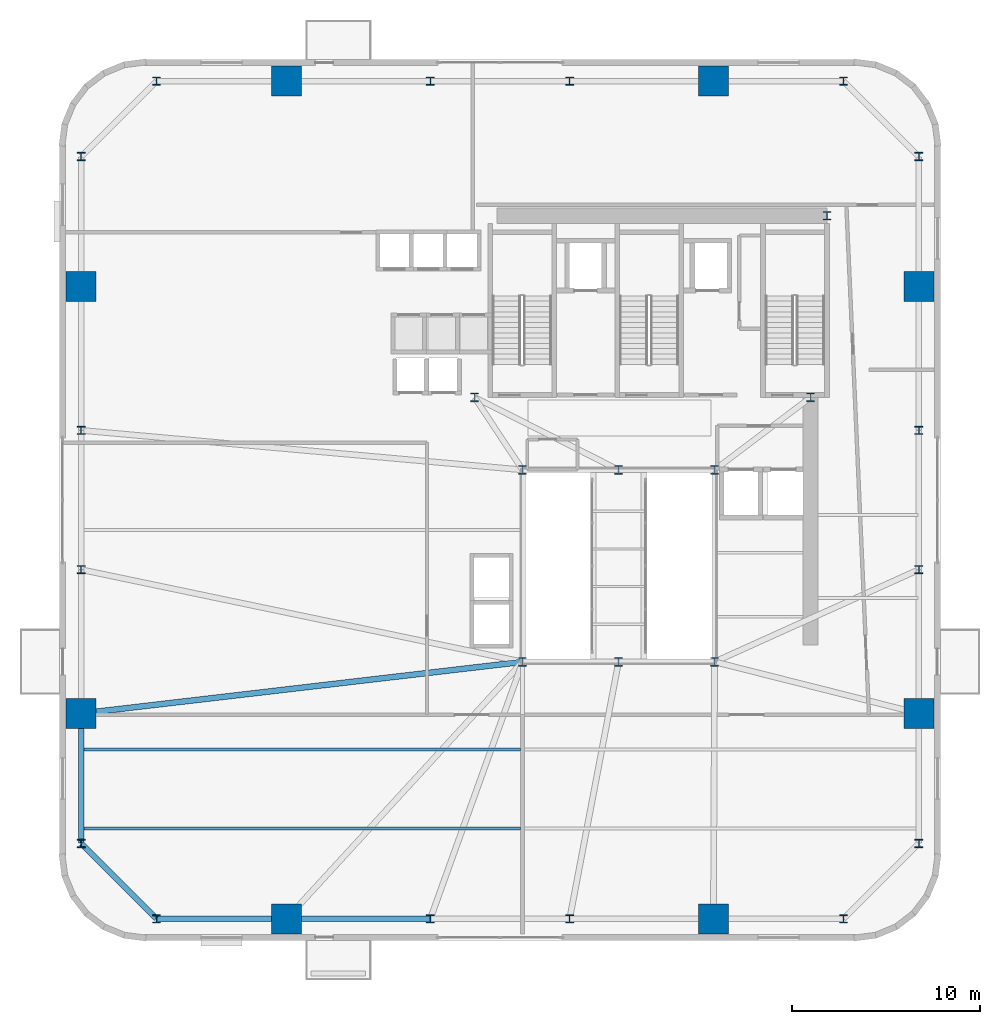
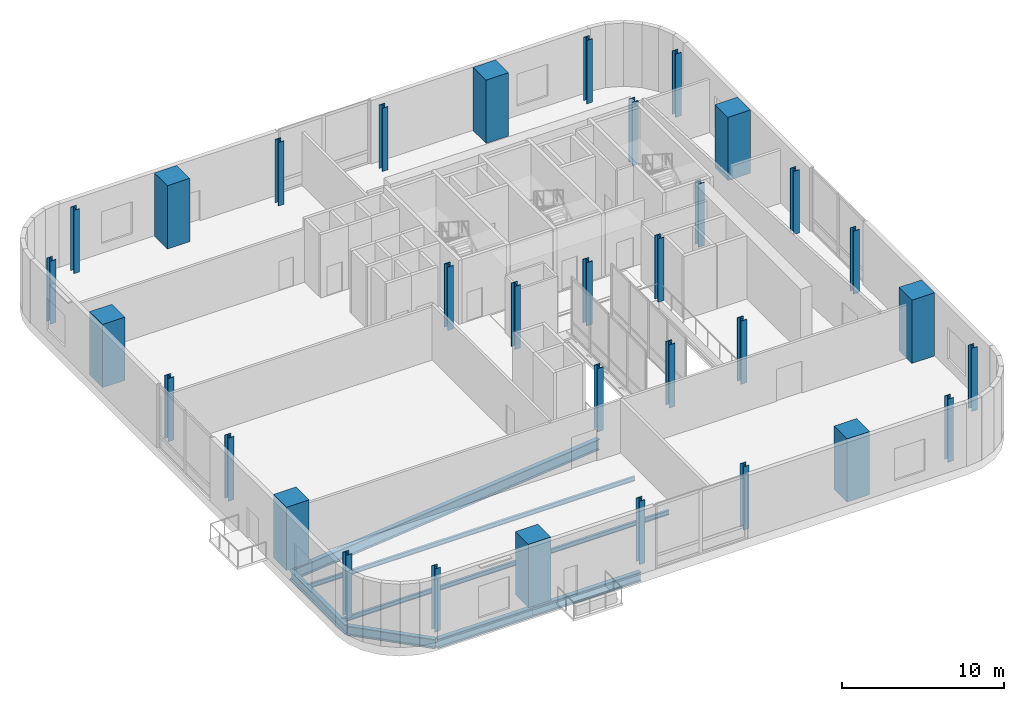
# One storey, part 1 of 13: 33 columns, 7 beams.
"""IFC4 building model written with IfcOpenShell, lengths in metres."""

from ifc_helpers import new_model, si_unit, direction, frame, origin, origin_2d, place, context, subcontext, project, spatial, rectangle, i_section, extrude, source, transform, mapped, material, material_profile, profile_set, type_object, element, save


model = new_model("IFC4")

# Units and contexts
model_context = context("Model", 3, precision=1e-05, world=origin(), true_north=direction((0.0, 1.0)))
body_context = subcontext(model_context, "Body", "Model", "MODEL_VIEW")
ifc_project = project(units=[si_unit("LENGTHUNIT", "METRE"), si_unit("AREAUNIT", "SQUARE_METRE"), si_unit("VOLUMEUNIT", "CUBIC_METRE"), si_unit("PLANEANGLEUNIT", "RADIAN"), si_unit("MASSUNIT", "GRAM", prefix="KILO")], contexts=[model_context])

# Site, building, storey
site_placement = place(None, origin())
site = spatial("IfcSite", under=ifc_project, at=site_placement, CompositionType="ELEMENT")
building_placement = place(site_placement, origin())
building = spatial("IfcBuilding", under=site, at=building_placement, Name="Vardaveli Station Tower", CompositionType="ELEMENT")
storey_placement = place(building_placement, frame((0.0, 0.0, 98.699951171875)))
storey = spatial("IfcBuildingStorey", under=building, at=storey_placement, Name="L25", CompositionType="ELEMENT", Elevation=98.699951171875)

# Columns
ifc_material_1 = material(Name="Structural steel S460M", Category="steel")
ifc_material_profile_1 = material_profile(ifc_material_1, i_section(OverallWidth=0.424072265625, OverallDepth=0.465087890625, WebThickness=0.034912109375, FlangeThickness=0.055908203125, FilletRadius=0.014892578125, at=origin_2d()), Name="HD 400x592")
ifc_profile_set_1 = profile_set([ifc_material_profile_1], Name="Structural steel S460M")
column_type_1 = type_object("IfcColumnType", Name="COL-HD592", PredefinedType="COLUMN", material=ifc_profile_set_1)
shared_shape_1 = source(origin(), body_context, "Body", "SweptSolid", [
    extrude(i_section(OverallWidth=0.424072265625, OverallDepth=0.465087890625, WebThickness=0.034912109375, FlangeThickness=0.055908203125, FilletRadius=0.014892578125, at=origin_2d()), origin(), (0.0, 0.0, 1.0), 4.760009765625),
])
for number, where, z_axis, x_axis, name in (
    (1, (31.199951171875, 16.60009765625, 0.0), (0.0, 0.0, 1.0), (1.0, 0.0, 0.0), "COL-L25-AC1"),
    (2, (36.300048828125, 16.60009765625, 0.0), (0.0, 0.0, 1.0), (1.0, 0.0, 0.0), "COL-L25-AC2"),
    (3, (41.39990234375, 16.60009765625, 0.0), (0.0, 0.0, 1.0), (1.0, 0.0, 0.0), "COL-L25-AC3"),
    (4, (41.39990234375, 26.800048828125, 0.0), (0.0, 0.0, 1.0), (1.0, 0.0, 0.0), "COL-L25-AC4"),
    (5, (36.300048828125, 26.800048828125, 0.0), (0.0, 0.0, 1.0), (1.0, 0.0, 0.0), "COL-L25-AC5"),
    (6, (31.199951171875, 26.800048828125, 0.0), (0.0, 0.0, 1.0), (1.0, 0.0, 0.0), "COL-L25-AC6"),
    (7, (28.64990234375, 30.64990234375, 0.0), (0.0, 0.0, 1.0), (1.0, 0.0, 0.0), "COL-L25-CC1"),
    (8, (46.5, 30.64990234375, 0.0), (0.0, 0.0, 1.0), (1.0, 0.0, 0.0), "COL-L25-CC2"),
    (9, (47.3701171875, 40.300048828125, 0.0), (0.0, 0.0, 1.0), (1.0, 0.0, 0.0), "COL-L25-CC3"),
):
    element("IfcColumn", number, at=place(storey_placement, frame(where, z_axis=z_axis, x_axis=x_axis)), inside=storey, type_object=column_type_1, Name=name, PredefinedType="COLUMN", context=body_context, shape_type="MappedRepresentation", body=[
        mapped(shared_shape_1, transform((0.0, 0.0, 0.0), scale=1.0)),
    ])
ifc_material_2 = material(Name="Concrete C60/75", Category="concrete")
ifc_material_profile_2 = material_profile(ifc_material_2, rectangle(XDim=1.60009765625, YDim=1.60009765625, at=origin_2d()), Name="MC 1600x1600")
ifc_profile_set_2 = profile_set([ifc_material_profile_2], Name="Concrete C60/75")
column_type_2 = type_object("IfcColumnType", Name="COL-MC-1600", PredefinedType="COLUMN", material=ifc_profile_set_2)
shared_shape_2 = source(origin(), body_context, "Body", "SweptSolid", [
    extrude(rectangle(XDim=1.60009765625, YDim=1.60009765625, at=origin_2d()), origin(), (0.0, 0.0, 1.0), 4.760009765625),
])
for number, where, z_axis, x_axis, name in (
    (10, (18.659912109375, 2.949951171875, 0.0), (0.0, 0.0, 1.0), (1.0, 0.0, 0.0), "COL-L25-MC1"),
    (11, (41.340087890625, 2.949951171875, 0.0), (0.0, 0.0, 1.0), (1.0, 0.0, 0.0), "COL-L25-MC2"),
    (12, (52.25, 13.860107421875, 0.0), (0.0, 0.0, 1.0), (1.0, 0.0, 0.0), "COL-L25-MC3"),
    (13, (52.25, 36.5400390625, 0.0), (0.0, 0.0, 1.0), (1.0, 0.0, 0.0), "COL-L25-MC4"),
    (14, (41.340087890625, 47.449951171875, 0.0), (0.0, 0.0, 1.0), (1.0, 0.0, 0.0), "COL-L25-MC5"),
    (15, (18.659912109375, 47.449951171875, 0.0), (0.0, 0.0, 1.0), (1.0, 0.0, 0.0), "COL-L25-MC6"),
    (16, (7.75, 36.5400390625, 0.0), (0.0, 0.0, 1.0), (1.0, 0.0, 0.0), "COL-L25-MC7"),
    (17, (7.75, 13.860107421875, 0.0), (0.0, 0.0, 1.0), (1.0, 0.0, 0.0), "COL-L25-MC8"),
):
    element("IfcColumn", number, at=place(storey_placement, frame(where, z_axis=z_axis, x_axis=x_axis)), inside=storey, type_object=column_type_2, Name=name, PredefinedType="COLUMN", context=body_context, shape_type="MappedRepresentation", body=[
        mapped(shared_shape_2, transform((0.0, 0.0, 0.0), scale=1.0)),
    ])
ifc_material_profile_3 = material_profile(ifc_material_1, i_section(OverallWidth=0.4140625, OverallDepth=0.431884765625, WebThickness=0.025634765625, FlangeThickness=0.0400390625, FilletRadius=0.014892578125, at=origin_2d()), Name="HD 400x421")
ifc_profile_set_3 = profile_set([ifc_material_profile_3], Name="Structural steel S460M")
column_type_3 = type_object("IfcColumnType", Name="COL-HD421", PredefinedType="COLUMN", material=ifc_profile_set_3)
shared_shape_3 = source(origin(), body_context, "Body", "SweptSolid", [
    extrude(i_section(OverallWidth=0.4140625, OverallDepth=0.431884765625, WebThickness=0.025634765625, FlangeThickness=0.0400390625, FilletRadius=0.014892578125, at=origin_2d()), origin(), (0.0, 0.0, 1.0), 4.760009765625),
])
for number, where, z_axis, x_axis, name in (
    (18, (11.75, 2.949951171875, 0.0), (0.0, 0.0, 1.0), (1.0, 0.0, 0.0), "COL-L25-PC01"),
    (19, (26.300048828125, 2.949951171875, 0.0), (0.0, 0.0, 1.0), (1.0, 0.0, 0.0), "COL-L25-PC02"),
    (20, (33.699951171875, 2.949951171875, 0.0), (0.0, 0.0, 1.0), (1.0, 0.0, 0.0), "COL-L25-PC03"),
    (21, (48.25, 2.949951171875, 0.0), (0.0, 0.0, 1.0), (1.0, 0.0, 0.0), "COL-L25-PC04"),
    (22, (52.25, 6.949951171875, 0.0), (0.0, 0.0, 1.0), (1.0, 0.0, 0.0), "COL-L25-PC05"),
    (23, (52.25, 21.5, 0.0), (0.0, 0.0, 1.0), (1.0, 0.0, 0.0), "COL-L25-PC06"),
    (24, (52.25, 28.89990234375, 0.0), (0.0, 0.0, 1.0), (1.0, 0.0, 0.0), "COL-L25-PC07"),
    (25, (52.25, 43.449951171875, 0.0), (0.0, 0.0, 1.0), (1.0, 0.0, 0.0), "COL-L25-PC08"),
    (26, (48.25, 47.449951171875, 0.0), (0.0, 0.0, 1.0), (1.0, 0.0, 0.0), "COL-L25-PC09"),
    (27, (33.699951171875, 47.449951171875, 0.0), (0.0, 0.0, 1.0), (1.0, 0.0, 0.0), "COL-L25-PC10"),
    (28, (26.300048828125, 47.449951171875, 0.0), (0.0, 0.0, 1.0), (1.0, 0.0, 0.0), "COL-L25-PC11"),
    (29, (11.75, 47.449951171875, 0.0), (0.0, 0.0, 1.0), (1.0, 0.0, 0.0), "COL-L25-PC12"),
    (30, (7.75, 43.449951171875, 0.0), (0.0, 0.0, 1.0), (1.0, 0.0, 0.0), "COL-L25-PC13"),
    (31, (7.75, 28.89990234375, 0.0), (0.0, 0.0, 1.0), (1.0, 0.0, 0.0), "COL-L25-PC14"),
    (32, (7.75, 21.5, 0.0), (0.0, 0.0, 1.0), (1.0, 0.0, 0.0), "COL-L25-PC15"),
    (33, (7.75, 6.949951171875, 0.0), (0.0, 0.0, 1.0), (1.0, 0.0, 0.0), "COL-L25-PC16"),
):
    element("IfcColumn", number, at=place(storey_placement, frame(where, z_axis=z_axis, x_axis=x_axis)), inside=storey, type_object=column_type_3, Name=name, PredefinedType="COLUMN", context=body_context, shape_type="MappedRepresentation", body=[
        mapped(shared_shape_3, transform((0.0, 0.0, 0.0), scale=1.0)),
    ])

# Beams
ifc_material_profile_4 = material_profile(ifc_material_1, i_section(OverallWidth=0.303955078125, OverallDepth=0.716064453125, WebThickness=0.02099609375, FlangeThickness=0.0400390625, FilletRadius=0.027099609375, at=origin_2d()), Name="HEM 700")
ifc_profile_set_4 = profile_set([ifc_material_profile_4], Name="Structural steel S460M")
beam_type_1 = type_object("IfcBeamType", Name="BM-HEM700", PredefinedType="BEAM", material=ifc_profile_set_4)
shared_shape_4 = source(origin(), body_context, "Body", "SweptSolid", [
    extrude(i_section(OverallWidth=0.303955078125, OverallDepth=0.716064453125, WebThickness=0.02099609375, FlangeThickness=0.0400390625, FilletRadius=0.027099609375, at=origin_2d()), origin(), (0.0, 0.0, 1.0), 7.60009765625),
])
beam_1_placement = place(storey_placement, frame((18.679931640625, 2.949951171875, -1.008056640625), z_axis=(1.0, 0.0, 0.0), x_axis=(0.0, 1.0, 0.0)))
element("IfcBeam", 34, at=beam_1_placement, inside=storey, type_object=beam_type_1, Name="RBM-L25-01", PredefinedType="BEAM", context=body_context, shape_type="MappedRepresentation", body=[
    mapped(shared_shape_4, transform((0.0, 0.0, 0.0), scale=1.0)),
])
shared_shape_5 = source(origin(), body_context, "Body", "SweptSolid", [
    extrude(i_section(OverallWidth=0.303955078125, OverallDepth=0.716064453125, WebThickness=0.02099609375, FlangeThickness=0.0400390625, FilletRadius=0.027099609375, at=origin_2d()), origin(), (0.0, 0.0, 1.0), 6.869873046875),
])
beam_2_placement = place(storey_placement, frame((11.77001953125, 2.949951171875, -1.008056640625), z_axis=(1.0, 0.0, 0.0), x_axis=(0.0, 1.0, 0.0)))
element("IfcBeam", 35, at=beam_2_placement, inside=storey, type_object=beam_type_1, Name="RBM-L25-24", PredefinedType="BEAM", context=body_context, shape_type="MappedRepresentation", body=[
    mapped(shared_shape_5, transform((0.0, 0.0, 0.0), scale=1.0)),
])
shared_shape_6 = source(origin(), body_context, "Body", "SweptSolid", [
    extrude(i_section(OverallWidth=0.303955078125, OverallDepth=0.716064453125, WebThickness=0.02099609375, FlangeThickness=0.0400390625, FilletRadius=0.027099609375, at=origin_2d()), origin(), (0.0, 0.0, 1.0), 5.61669921875),
])
beam_3_placement = place(storey_placement, frame((7.76416015625, 6.935791015625, -1.008056640625), z_axis=(0.707106781187, -0.707106781187, 0.0), x_axis=(0.707106781187, 0.707106781187, 0.0)))
element("IfcBeam", 36, at=beam_3_placement, inside=storey, type_object=beam_type_1, Name="RBM-L25-23", PredefinedType="BEAM", context=body_context, shape_type="MappedRepresentation", body=[
    mapped(shared_shape_6, transform((0.0, 0.0, 0.0), scale=1.0)),
])
shared_shape_7 = source(origin(), body_context, "Body", "SweptSolid", [
    extrude(i_section(OverallWidth=0.303955078125, OverallDepth=0.716064453125, WebThickness=0.02099609375, FlangeThickness=0.0400390625, FilletRadius=0.027099609375, at=origin_2d()), origin(), (0.0, 0.0, 1.0), 6.8701171875),
])
beam_4_placement = place(storey_placement, frame((7.75, 13.840087890625, -1.008056640625), z_axis=(0.0, -1.0, 0.0), x_axis=(1.0, 0.0, 0.0)))
element("IfcBeam", 37, at=beam_4_placement, inside=storey, type_object=beam_type_1, Name="RBM-L25-22", PredefinedType="BEAM", context=body_context, shape_type="MappedRepresentation", body=[
    mapped(shared_shape_7, transform((0.0, 0.0, 0.0), scale=1.0)),
])
ifc_material_profile_5 = material_profile(ifc_material_1, i_section(OverallWidth=0.305908203125, OverallDepth=0.81396484375, WebThickness=0.02099609375, FlangeThickness=0.0400390625, FilletRadius=0.027099609375, at=origin_2d()), Name="HEM 800")
ifc_profile_set_5 = profile_set([ifc_material_profile_5], Name="Structural steel S460M")
beam_type_2 = type_object("IfcBeamType", Name="BM-HEM800", PredefinedType="BEAM", material=ifc_profile_set_5)
shared_shape_8 = source(origin(), body_context, "Body", "SweptSolid", [
    extrude(i_section(OverallWidth=0.305908203125, OverallDepth=0.81396484375, WebThickness=0.02099609375, FlangeThickness=0.0400390625, FilletRadius=0.027099609375, at=origin_2d()), origin(), (0.0, 0.0, 1.0), 23.569580078125),
])
beam_5_placement = place(storey_placement, frame((7.769775390625, 13.8623046875, -1.056884765625), z_axis=(0.993242915589, 0.11605391261, 0.0), x_axis=(-0.11605391261, 0.993242915589, 0.0)))
element("IfcBeam", 38, at=beam_5_placement, inside=storey, type_object=beam_type_2, Name="GBM-L25-10", PredefinedType="BEAM", context=body_context, shape_type="MappedRepresentation", body=[
    mapped(shared_shape_8, transform((0.0, 0.0, 0.0), scale=1.0)),
])
ifc_material_3 = material(Name="Structural steel S355J2", Category="steel")
ifc_material_profile_6 = material_profile(ifc_material_3, i_section(OverallWidth=0.159912109375, OverallDepth=0.330078125, WebThickness=0.007568359375, FlangeThickness=0.011474609375, FilletRadius=0.01806640625, at=origin_2d()), Name="IPE 330")
ifc_profile_set_6 = profile_set([ifc_material_profile_6], Name="Structural steel S355J2")
beam_type_3 = type_object("IfcBeamType", Name="BM-IPE330", PredefinedType="JOIST", material=ifc_profile_set_6)
shared_shape_9 = source(origin(), body_context, "Body", "SweptSolid", [
    extrude(i_section(OverallWidth=0.159912109375, OverallDepth=0.330078125, WebThickness=0.007568359375, FlangeThickness=0.011474609375, FilletRadius=0.01806640625, at=origin_2d()), origin(), (0.0, 0.0, 1.0), 23.2978515625),
])
for number, where, z_axis, x_axis, name in (
    (39, (7.7900390625, 7.75, -0.81494140625), (1.0, 0.0, 0.0), (0.0, 1.0, 0.0), "SJ-L25-S01"),
    (40, (7.7900390625, 11.949951171875, -0.81494140625), (1.0, 0.0, 0.0), (0.0, 1.0, 0.0), "SJ-L25-S03"),
):
    element("IfcBeam", number, at=place(storey_placement, frame(where, z_axis=z_axis, x_axis=x_axis)), inside=storey, type_object=beam_type_3, Name=name, PredefinedType="JOIST", context=body_context, shape_type="MappedRepresentation", body=[
        mapped(shared_shape_9, transform((0.0, 0.0, 0.0), scale=1.0)),
    ])

save(model, "model.ifc")
